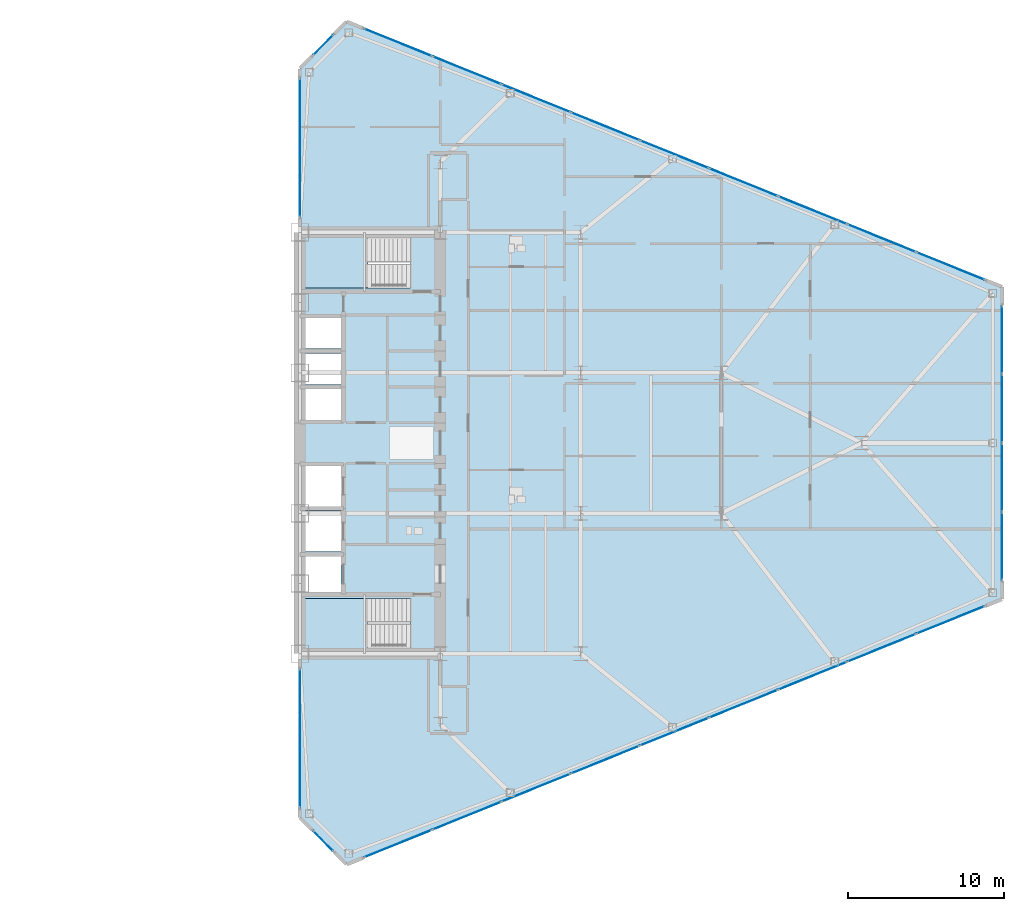
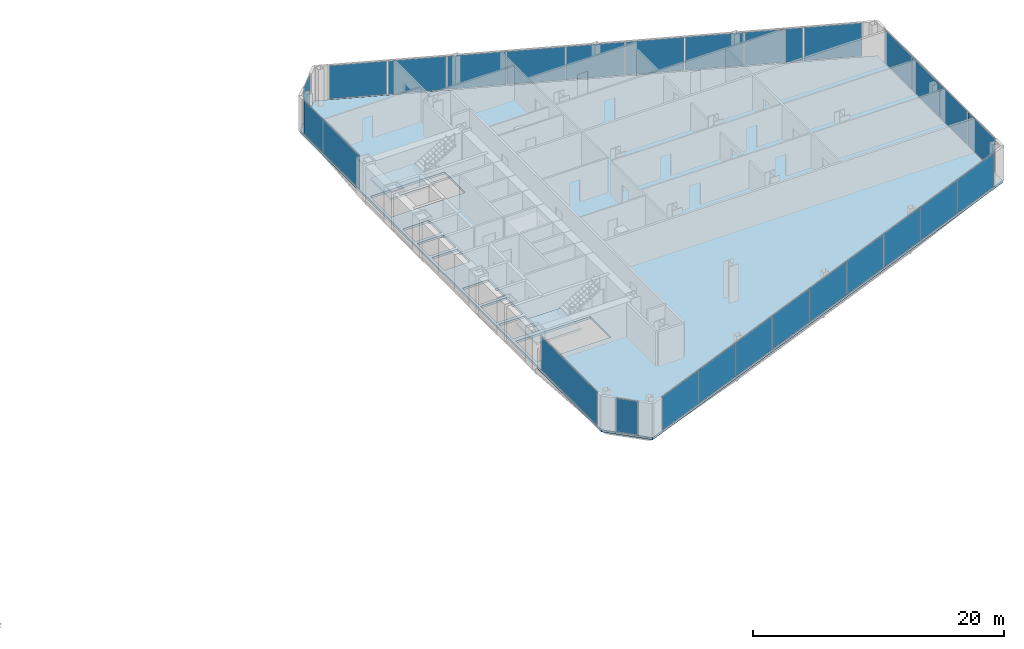
# One storey, part 16 of 25: 26 plates, 3 slabs, 9 elements without a shape of their own.
"""IFC4 building model written with IfcOpenShell, lengths in metres."""

import ifcopenshell
import ifcopenshell.guid

model = None  # the IFC model being written
_history = None  # IfcOwnerHistory: only IFC2X3 demands one
_inside = {}  # id of a spatial element -> (the spatial element, [elements in it])
_under = {}  # id of a project, library or spatial element -> (it, [spatial elements below it])
_declared = {}  # id of a project -> (the project, [libraries it declares])
_typed = {}  # id of a type object -> (the type object, [elements of that type])
_made_of = {}  # id of a material, layer set ... -> (it, [elements and type objects made of it])


def new_model(schema):
    """Start an empty IFC model of exactly this schema.

    Asked for "IFC4X3", IfcOpenShell would pick the latest addendum, in which some entities
    have other attributes; the version numbers below select the first issue.
    IFC2X3 requires an IfcOwnerHistory on every rooted entity: one is made here for all.
    """
    global model, _history
    if schema == "IFC4X3":
        model = ifcopenshell.file(schema_version=(4, 3, 0, 0))
    else:
        model = ifcopenshell.file(schema=schema)
    _inside.clear()
    _under.clear()
    _declared.clear()
    _typed.clear()
    _made_of.clear()
    _history = None
    if model.schema == "IFC2X3":
        org = make("IfcOrganization", Name="unknown")
        user = make(
            "IfcPersonAndOrganization",
            ThePerson=make("IfcPerson", FamilyName="unknown"),
            TheOrganization=org,
        )
        app = make(
            "IfcApplication",
            ApplicationDeveloper=org,
            Version="unknown",
            ApplicationFullName="unknown",
            ApplicationIdentifier="unknown",
        )
        _history = make(
            "IfcOwnerHistory",
            OwningUser=user,
            OwningApplication=app,
            ChangeAction="ADDED",
            CreationDate=0,
        )
    return model


def make(cls, **values):
    """One entity of the class cls with the attributes given. An attribute that is None is left unset."""
    return model.create_entity(
        cls, **{name: value for name, value in values.items() if value is not None}
    )


def rooted(cls, **values):
    """An entity with a GlobalId (a new one), such as an element, a storey or a relation."""
    return make(cls, GlobalId=ifcopenshell.guid.new(), OwnerHistory=_history, **values)


def si_unit(unit_type, name, prefix=None):
    """IfcSIUnit, for example si_unit("LENGTHUNIT", "METRE", prefix="MILLI")."""
    return make("IfcSIUnit", UnitType=unit_type, Prefix=prefix, Name=name)


def assignment(units):
    """IfcUnitAssignment: the units of a project."""
    return None if units is None else make("IfcUnitAssignment", Units=units)


def point(xyz):
    """IfcCartesianPoint."""
    return None if xyz is None else make("IfcCartesianPoint", Coordinates=xyz)


def direction(xyz):
    """IfcDirection."""
    return None if xyz is None else make("IfcDirection", DirectionRatios=xyz)


def frame(location, z_axis=None, x_axis=None):
    """IfcAxis2Placement3D, a coordinate frame: its origin and axes. An axis left out is left unset."""
    return make(
        "IfcAxis2Placement3D",
        Location=point(location),
        Axis=direction(z_axis),
        RefDirection=direction(x_axis),
    )


def frame_2d(location, x_axis=None):
    """IfcAxis2Placement2D, a coordinate frame in the plane: its origin and x axis."""
    return make(
        "IfcAxis2Placement2D", Location=point(location), RefDirection=direction(x_axis)
    )


def origin():
    """The frame at (0, 0, 0) with its axes left unset."""
    return frame((0.0, 0.0, 0.0))


def origin_2d():
    """The frame at (0, 0) in the plane with its x axis left unset."""
    return frame_2d((0.0, 0.0))


def place(relative_to, where):
    """IfcLocalPlacement: puts the frame where relative to a parent placement (None: the world)."""
    return make(
        "IfcLocalPlacement", PlacementRelTo=relative_to, RelativePlacement=where
    )


def context(
    kind, dimensions, precision=None, world=None, true_north=None, identifier=None
):
    """IfcGeometricRepresentationContext, for example the 3D "Model" context."""
    return make(
        "IfcGeometricRepresentationContext",
        ContextIdentifier=identifier,
        ContextType=kind,
        CoordinateSpaceDimension=dimensions,
        Precision=precision,
        WorldCoordinateSystem=world,
        TrueNorth=true_north,
    )


def subcontext(parent, identifier, kind, view, scale=None):
    """IfcGeometricRepresentationSubContext, for example "Body" below "Model"."""
    return make(
        "IfcGeometricRepresentationSubContext",
        ContextIdentifier=identifier,
        ContextType=kind,
        ParentContext=parent,
        TargetScale=scale,
        TargetView=view,
    )


def project(units=None, contexts=None):
    """IfcProject with its units and contexts."""
    return rooted(
        "IfcProject",
        Name="project",
        RepresentationContexts=contexts,
        UnitsInContext=assignment(units),
    )


def spatial(cls, under=None, at=None, **own):
    """A site, building, storey or space (cls), placed at a placement, below another one or the project."""
    s = rooted(cls, ObjectPlacement=at, **own)
    if under is not None:
        _under.setdefault(under.id(), (under, []))[1].append(s)
    return s


def polyline(points):
    """IfcPolyline through the points."""
    return make("IfcPolyline", Points=[point(p) for p in points])


def profile(cls, at=None, kind="AREA", **sizes):
    """A parametric profile (cls). Its sizes go by their IFC names, for example OverallWidth=200.0."""
    return make(cls, ProfileType=kind, Position=at, **sizes)


def rectangle(**sizes):
    """IfcRectangleProfileDef."""
    return profile("IfcRectangleProfileDef", **sizes)


def outline(outer, holes=None, kind="AREA"):
    """IfcArbitraryClosedProfileDef: a profile drawn as a closed curve; with holes, ...WithVoids."""
    if holes is None:
        return make("IfcArbitraryClosedProfileDef", ProfileType=kind, OuterCurve=outer)
    return make(
        "IfcArbitraryProfileDefWithVoids",
        ProfileType=kind,
        OuterCurve=outer,
        InnerCurves=holes,
    )


def extrude(swept, where, along, depth):
    """IfcExtrudedAreaSolid: the profile swept, set in the frame where, extruded along a direction by depth."""
    return make(
        "IfcExtrudedAreaSolid",
        SweptArea=swept,
        Position=where,
        ExtrudedDirection=direction(along),
        Depth=depth,
    )


def shape(context_of_items, identifier, shape_type, items):
    """IfcShapeRepresentation: the items that make up one representation, for example the "Body"."""
    return make(
        "IfcShapeRepresentation",
        ContextOfItems=context_of_items,
        RepresentationIdentifier=identifier,
        RepresentationType=shape_type,
        Items=items,
    )


def source(mapping_origin, context_of_items, identifier, shape_type, items):
    """IfcRepresentationMap: a shape defined once, which mapped items show again and again."""
    return make(
        "IfcRepresentationMap",
        MappingOrigin=mapping_origin,
        MappedRepresentation=shape(context_of_items, identifier, shape_type, items),
    )


def transform(
    local_origin,
    x_axis=None,
    y_axis=None,
    z_axis=None,
    scale=None,
    scale2=None,
    scale3=None,
    uniform=True,
):
    """IfcCartesianTransformationOperator3D, or its non-uniform kind. x_axis, y_axis, z_axis: its Axis1, 2, 3."""
    if uniform:
        return make(
            "IfcCartesianTransformationOperator3D",
            Axis1=direction(x_axis),
            Axis2=direction(y_axis),
            LocalOrigin=point(local_origin),
            Scale=scale,
            Axis3=direction(z_axis),
        )
    return make(
        "IfcCartesianTransformationOperator3DnonUniform",
        Axis1=direction(x_axis),
        Axis2=direction(y_axis),
        LocalOrigin=point(local_origin),
        Scale=scale,
        Axis3=direction(z_axis),
        Scale2=scale2,
        Scale3=scale3,
    )


def mapped(mapping_source, mapping_target):
    """IfcMappedItem: shows the shape of a source again, moved by a transform."""
    return make(
        "IfcMappedItem", MappingSource=mapping_source, MappingTarget=mapping_target
    )


def material(Name=None, Category=None):
    """IfcMaterial."""
    return make("IfcMaterial", Name=Name, Category=Category)


def layer(
    of_material, thickness, ventilated=None, Name=None, Category=None, Priority=None
):
    """IfcMaterialLayer: one layer of a wall or slab, of a material (None: an air gap)."""
    return make(
        "IfcMaterialLayer",
        Material=of_material,
        LayerThickness=thickness,
        IsVentilated=ventilated,
        Name=Name,
        Category=Category,
        Priority=Priority,
    )


def layer_set(layers, Name=None):
    """IfcMaterialLayerSet."""
    return make("IfcMaterialLayerSet", MaterialLayers=layers, LayerSetName=Name)


def made_of(thing, what):
    """Note that an element or type object is made of a material, layer set ...; save() writes the relation."""
    if what is not None:
        _made_of.setdefault(what.id(), (what, []))[1].append(thing)
    return thing


def type_object(cls, material=None, **own):
    """A type object (cls), such as IfcWallType, which elements share."""
    return made_of(rooted(cls, **own), material)


def type_shapes(of_type, sources):
    """Give a type object the sources (RepresentationMaps) that its elements show as mapped items."""
    of_type.RepresentationMaps = sources


def element(
    cls,
    number,
    at=None,
    inside=None,
    cuts=None,
    type_object=None,
    material=None,
    context=None,
    identifier="Body",
    shape_type=None,
    held_by="IfcProductDefinitionShape",
    body=None,
    shapes=None,
    **own,
):
    """One element of the class cls, such as IfcWall. Its Tag is "e" and its number.

    at: its placement. inside: the storey or other place that contains it. cuts: it is an
    opening in that element (IfcRelVoidsElement). A single representation is given by context,
    identifier, shape_type and body (its items); several are given by shapes. held_by: the class
    of the entity that holds the representations. save() writes the other relations.
    """
    e = rooted(cls, Tag="e%d" % number, ObjectPlacement=at, **own)
    if body is not None:
        shapes = [shape(context, identifier, shape_type, body)]
    if shapes is not None:
        e.Representation = make(held_by, Representations=shapes)
    if inside is not None:
        _inside.setdefault(inside.id(), (inside, []))[1].append(e)
    if cuts is not None:
        rooted(
            "IfcRelVoidsElement", RelatingBuildingElement=cuts, RelatedOpeningElement=e
        )
    if type_object is not None:
        _typed.setdefault(type_object.id(), (type_object, []))[1].append(e)
    return made_of(e, material)


def aggregate(whole, parts):
    """IfcRelAggregates: a whole, such as a stair, and the parts it consists of."""
    return rooted("IfcRelAggregates", RelatingObject=whole, RelatedObjects=parts)


def save(model, path):
    """Write the relations noted so far, then the file.

    IfcRelAggregates (storeys below a building ...), IfcRelContainedInSpatialStructure (elements
    in a storey), IfcRelDefinesByType, IfcRelAssociatesMaterial and IfcRelDeclares: one each for
    every whole, place, type object, material and project.
    """
    for whole, parts in _under.values():
        aggregate(whole, parts)
    for where, things in _inside.values():
        rooted(
            "IfcRelContainedInSpatialStructure",
            RelatedElements=things,
            RelatingStructure=where,
        )
    for kind, things in _typed.values():
        rooted("IfcRelDefinesByType", RelatedObjects=things, RelatingType=kind)
    for what, things in _made_of.values():
        rooted("IfcRelAssociatesMaterial", RelatedObjects=things, RelatingMaterial=what)
    for by, libraries in _declared.values():
        rooted("IfcRelDeclares", RelatingContext=by, RelatedDefinitions=libraries)
    model.write(path)


model = new_model("IFC4")

# Units and contexts
model_context = context("Model", 3, precision=1e-05, world=origin(), true_north=direction((0.0, 1.0)))
body_context = subcontext(model_context, "Body", "Model", "MODEL_VIEW")
ifc_project = project(units=[si_unit("LENGTHUNIT", "METRE"), si_unit("AREAUNIT", "SQUARE_METRE"), si_unit("VOLUMEUNIT", "CUBIC_METRE"), si_unit("PLANEANGLEUNIT", "RADIAN"), si_unit("MASSUNIT", "GRAM", prefix="KILO")], contexts=[model_context])

# Site, building, storey
site_placement = place(None, origin())
site = spatial("IfcSite", under=ifc_project, at=site_placement, CompositionType="ELEMENT")
building_placement = place(site_placement, origin())
building = spatial("IfcBuilding", under=site, at=building_placement, Name="Seokmaru Belvedere", CompositionType="ELEMENT")
storey_placement = place(building_placement, frame((0.0, 0.0, 58.5)))
storey = spatial("IfcBuildingStorey", under=building, at=storey_placement, Name="L15", CompositionType="ELEMENT", Elevation=58.5)

# Stair, slab
ifc_material_1 = material(Name="Concrete C40 (40 MPa)", Category="concrete")
stair_type = type_object("IfcStairType", Name="Typical Tower Core Dog-Leg Stair 3600", PredefinedType="TWO_STRAIGHT_RUN_STAIR", material=ifc_material_1)
stair_1_placement = place(storey_placement, origin())
stair_1 = element("IfcStair", 1, at=stair_1_placement, inside=storey, type_object=stair_type, Name="L15 Special Escape Stair ST-E1", PredefinedType="TWO_STRAIGHT_RUN_STAIR")
ifc_layer_1 = layer(ifc_material_1, 0.199951171875)
ifc_layer_set_1 = layer_set([ifc_layer_1], Name="Concrete C40 (40 MPa)")
slab_type_1 = type_object("IfcSlabType", Name="Reinforced Concrete Stair Landing Slab 200", PredefinedType="LANDING", material=ifc_layer_set_1)
slab_1_placement = place(storey_placement, frame((0.0, 0.0, 1.60009765625)))
slab_1 = element("IfcSlab", 2, at=slab_1_placement, type_object=slab_type_1, Name="ST-E1 landing 1", PredefinedType="LANDING", context=body_context, shape_type="SweptSolid", body=[
    extrude(outline(polyline([(27.760009765625, -13.239990234375), (31.8798828125, -13.239990234375), (31.8798828125, -9.949951171875), (27.760009765625, -9.949951171875), (27.760009765625, -13.239990234375)])), origin(), (0.0, 0.0, 1.0), 0.199951171875),
])
aggregate(stair_1, [slab_1])

stair_2_placement = place(storey_placement, origin())
stair_2 = element("IfcStair", 3, at=stair_2_placement, inside=storey, type_object=stair_type, Name="L15 Special Escape Stair ST-E2", PredefinedType="TWO_STRAIGHT_RUN_STAIR")
slab_2_placement = place(storey_placement, frame((0.0, 0.0, 1.60009765625)))
slab_2 = element("IfcSlab", 4, at=slab_2_placement, type_object=slab_type_1, Name="ST-E2 landing 1", PredefinedType="LANDING", context=body_context, shape_type="SweptSolid", body=[
    extrude(outline(polyline([(27.760009765625, 9.949951171875), (31.8798828125, 9.949951171875), (31.8798828125, 13.239990234375), (27.760009765625, 13.239990234375), (27.760009765625, 9.949951171875)])), origin(), (0.0, 0.0, 1.0), 0.199951171875),
])
aggregate(stair_2, [slab_2])

# Slab
ifc_layer_2 = layer(ifc_material_1, 0.219970703125)
ifc_layer_set_2 = layer_set([ifc_layer_2], Name="Concrete C40 (40 MPa)")
slab_type_2 = type_object("IfcSlabType", Name="Typical Tower Composite Floor Slab 220", PredefinedType="FLOOR", material=ifc_layer_set_2)
slab_3_placement = place(storey_placement, frame((0.0, 0.0, -0.219970703125)))
element("IfcSlab", 5, at=slab_3_placement, inside=storey, type_object=slab_type_2, Name="L15 East Leg Floor Slab", PredefinedType="FLOOR", context=body_context, shape_type="SweptSolid", body=[
    extrude(outline(polyline([(30.5, -27.0), (72.5, -10.0), (72.5, 10.0), (30.5, 27.0), (27.5, 24.0), (27.5, -24.0), (30.5, -27.0)]), holes=[polyline([(27.75, -13.25), (34.60009765625, -13.25), (34.60009765625, -9.949951171875), (27.75, -9.949951171875), (27.75, -13.25)]), polyline([(27.75, 9.949951171875), (34.60009765625, 9.949951171875), (34.60009765625, 13.25), (27.75, 13.25), (27.75, 9.949951171875)]), polyline([(27.75, -9.550048828125), (30.14990234375, -9.550048828125), (30.14990234375, -7.25), (27.75, -7.25), (27.75, -9.550048828125)]), polyline([(27.75, -6.949951171875), (30.14990234375, -6.949951171875), (30.14990234375, -4.35009765625), (27.75, -4.35009765625), (27.75, -6.949951171875)]), polyline([(27.75, -4.050048828125), (30.14990234375, -4.050048828125), (30.14990234375, -1.449951171875), (27.75, -1.449951171875), (27.75, -4.050048828125)]), polyline([(27.75, 1.449951171875), (30.14990234375, 1.449951171875), (30.14990234375, 3.449951171875), (27.75, 3.449951171875), (27.75, 1.449951171875)]), polyline([(27.75, 3.75), (30.14990234375, 3.75), (30.14990234375, 5.75), (27.75, 5.75), (27.75, 3.75)]), polyline([(27.75, 6.050048828125), (30.14990234375, 6.050048828125), (30.14990234375, 8.050048828125), (27.75, 8.050048828125), (27.75, 6.050048828125)])]), origin(), (0.0, 0.0, 1.0), 0.219970703125),
])

# Curtain wall, plate
ifc_material_2 = material(Name="Bronze Triple Insulating Glass", Category="glass")
ifc_layer_3 = layer(ifc_material_2, 0.2099609375)
ifc_layer_set_3 = layer_set([ifc_layer_3], Name="Bronze Triple Insulating Glass")
curtain_wall_type = type_object("IfcCurtainWallType", Name="Low-Rise Faceted Crystal Curtain Wall System CW-2", PredefinedType="NOTDEFINED", material=ifc_layer_set_3)
curtain_wall_1_placement = place(storey_placement, origin())
curtain_wall_1 = element("IfcCurtainWall", 6, at=curtain_wall_1_placement, inside=storey, type_object=curtain_wall_type, Name="L15 Curtain Wall ESP_1", PredefinedType="NOTDEFINED")
ifc_layer_4 = layer(ifc_material_2, 0.035888671875)
ifc_layer_set_4 = layer_set([ifc_layer_4], Name="Bronze Triple Insulating Glass")
plate_type = type_object("IfcPlateType", Name="Bronze Triple Vision Glazing Panel 36", PredefinedType="CURTAIN_PANEL", material=ifc_layer_set_4)
shared_shape_1 = source(origin(), body_context, "Body", "SweptSolid", [
    extrude(rectangle(XDim=8.85009765625, YDim=0.035888671875, at=origin_2d()), origin(), (0.0, 0.0, 1.0), 3.239990234375),
])
plate_1_placement = place(storey_placement, frame((27.5, -18.929931640625, 0.06982421875), z_axis=(0.0, 0.0, 1.0), x_axis=(0.0, -1.0, 0.0)))
plate_1 = element("IfcPlate", 7, at=plate_1_placement, type_object=plate_type, Name="CW:L15:ESP_1 Glazing Panel 1-1", PredefinedType="CURTAIN_PANEL", context=body_context, shape_type="MappedRepresentation", body=[
    mapped(shared_shape_1, transform((0.0, 0.0, 0.0), scale=1.0)),
])
aggregate(curtain_wall_1, [plate_1])

curtain_wall_2_placement = place(storey_placement, origin())
curtain_wall_2 = element("IfcCurtainWall", 8, at=curtain_wall_2_placement, inside=storey, type_object=curtain_wall_type, Name="L15 Curtain Wall ESP_2", PredefinedType="NOTDEFINED")
plate_2_placement = place(storey_placement, frame((27.5, 18.929931640625, 0.06982421875), z_axis=(0.0, 0.0, 1.0), x_axis=(0.0, -1.0, 0.0)))
plate_2 = element("IfcPlate", 9, at=plate_2_placement, type_object=plate_type, Name="CW:L15:ESP_2 Glazing Panel 1-1", PredefinedType="CURTAIN_PANEL", context=body_context, shape_type="MappedRepresentation", body=[
    mapped(shared_shape_1, transform((0.0, 0.0, 0.0), scale=1.0)),
])
aggregate(curtain_wall_2, [plate_2])

curtain_wall_3_placement = place(storey_placement, origin())
curtain_wall_3 = element("IfcCurtainWall", 10, at=curtain_wall_3_placement, inside=storey, type_object=curtain_wall_type, Name="L15 Curtain Wall EF4", PredefinedType="NOTDEFINED")
shared_shape_2 = source(origin(), body_context, "Body", "SweptSolid", [
    extrude(rectangle(XDim=1.79248046875, YDim=0.035888671875, at=origin_2d()), origin(), (0.0, 0.0, 1.0), 3.239990234375),
])
plate_3_placement = place(storey_placement, frame((29.0, 25.5, 0.06982421875), z_axis=(0.0, 0.0, 1.0), x_axis=(-0.707106781187, -0.707106781187, 0.0)))
plate_3 = element("IfcPlate", 11, at=plate_3_placement, type_object=plate_type, Name="CW:L15:EF4 Glazing Panel 1-1", PredefinedType="CURTAIN_PANEL", context=body_context, shape_type="MappedRepresentation", body=[
    mapped(shared_shape_2, transform((0.0, 0.0, 0.0), scale=1.0)),
])
aggregate(curtain_wall_3, [plate_3])

curtain_wall_4_placement = place(storey_placement, origin())
curtain_wall_4 = element("IfcCurtainWall", 12, at=curtain_wall_4_placement, inside=storey, type_object=curtain_wall_type, Name="L15 Curtain Wall EF6", PredefinedType="NOTDEFINED")
plate_4_placement = place(storey_placement, frame((29.0, -25.5, 0.06982421875), z_axis=(0.0, 0.0, 1.0), x_axis=(0.707106781187, -0.707106781187, 0.0)))
plate_4 = element("IfcPlate", 13, at=plate_4_placement, type_object=plate_type, Name="CW:L15:EF6 Glazing Panel 1-1", PredefinedType="CURTAIN_PANEL", context=body_context, shape_type="MappedRepresentation", body=[
    mapped(shared_shape_2, transform((0.0, 0.0, 0.0), scale=1.0)),
])
aggregate(curtain_wall_4, [plate_4])

# Curtain wall, plates
curtain_wall_5_placement = place(storey_placement, origin())
curtain_wall_5 = element("IfcCurtainWall", 14, at=curtain_wall_5_placement, inside=storey, type_object=curtain_wall_type, Name="L15 Curtain Wall EF1", PredefinedType="NOTDEFINED")
shared_shape_3 = source(origin(), body_context, "Body", "SweptSolid", [
    extrude(rectangle(XDim=4.66650390625, YDim=0.035888671875, at=origin_2d()), origin(), (0.0, 0.0, 1.0), 3.239990234375),
])
plate_5_placement = place(storey_placement, frame((33.79833984375, -25.6650390625, 0.06982421875), z_axis=(0.0, 0.0, 1.0), x_axis=(0.926946989637, 0.375192321888, 0.0)))
plate_5 = element("IfcPlate", 15, at=plate_5_placement, type_object=plate_type, Name="CW:L15:EF1 Glazing Panel 1-1", PredefinedType="CURTAIN_PANEL", context=body_context, shape_type="MappedRepresentation", body=[
    mapped(shared_shape_3, transform((0.0, 0.0, 0.0), scale=1.0)),
])
plate_6_placement = place(storey_placement, frame((69.20166015625, -11.3349609375, 0.06982421875), z_axis=(0.0, 0.0, 1.0), x_axis=(0.926946989637, 0.375192321888, 0.0)))
plate_6 = element("IfcPlate", 16, at=plate_6_placement, type_object=plate_type, Name="CW:L15:EF1 Glazing Panel 9-1", PredefinedType="CURTAIN_PANEL", context=body_context, shape_type="MappedRepresentation", body=[
    mapped(shared_shape_3, transform((0.0, 0.0, 0.0), scale=1.0)),
])

curtain_wall_6_placement = place(storey_placement, origin())
curtain_wall_6 = element("IfcCurtainWall", 17, at=curtain_wall_6_placement, inside=storey, type_object=curtain_wall_type, Name="L15 Curtain Wall EF3", PredefinedType="NOTDEFINED")
plate_7_placement = place(storey_placement, frame((69.20166015625, 11.3349609375, 0.06982421875), z_axis=(0.0, 0.0, 1.0), x_axis=(-0.926946989637, 0.375192321888, 0.0)))
plate_7 = element("IfcPlate", 18, at=plate_7_placement, type_object=plate_type, Name="CW:L15:EF3 Glazing Panel 1-1", PredefinedType="CURTAIN_PANEL", context=body_context, shape_type="MappedRepresentation", body=[
    mapped(shared_shape_3, transform((0.0, 0.0, 0.0), scale=1.0)),
])
plate_8_placement = place(storey_placement, frame((33.79833984375, 25.6650390625, 0.06982421875), z_axis=(0.0, 0.0, 1.0), x_axis=(-0.926946989637, 0.375192321888, 0.0)))
plate_8 = element("IfcPlate", 19, at=plate_8_placement, type_object=plate_type, Name="CW:L15:EF3 Glazing Panel 9-1", PredefinedType="CURTAIN_PANEL", context=body_context, shape_type="MappedRepresentation", body=[
    mapped(shared_shape_3, transform((0.0, 0.0, 0.0), scale=1.0)),
])

# Plate
shared_shape_4 = source(origin(), body_context, "Body", "SweptSolid", [
    extrude(rectangle(XDim=4.703857421875, YDim=0.035888671875, at=origin_2d()), origin(), (0.0, 0.0, 1.0), 3.239990234375),
])
plate_9_placement = place(storey_placement, frame((38.210693359375, -23.87890625, 0.06982421875), z_axis=(0.0, 0.0, 1.0), x_axis=(0.926946989637, 0.375192321888, 0.0)))
plate_9 = element("IfcPlate", 20, at=plate_9_placement, type_object=plate_type, Name="CW:L15:EF1 Glazing Panel 2-1", PredefinedType="CURTAIN_PANEL", context=body_context, shape_type="MappedRepresentation", body=[
    mapped(shared_shape_4, transform((0.0, 0.0, 0.0), scale=1.0)),
])

plate_10_placement = place(storey_placement, frame((42.640380859375, -22.0859375, 0.06982421875), z_axis=(0.0, 0.0, 1.0), x_axis=(0.926946989637, 0.375192321888, 0.0)))
plate_10 = element("IfcPlate", 21, at=plate_10_placement, type_object=plate_type, Name="CW:L15:EF1 Glazing Panel 3-1", PredefinedType="CURTAIN_PANEL", context=body_context, shape_type="MappedRepresentation", body=[
    mapped(shared_shape_4, transform((0.0, 0.0, 0.0), scale=1.0)),
])

plate_11_placement = place(storey_placement, frame((47.0703125, -20.29296875, 0.06982421875), z_axis=(0.0, 0.0, 1.0), x_axis=(0.926946989637, 0.375192321888, 0.0)))
plate_11 = element("IfcPlate", 22, at=plate_11_placement, type_object=plate_type, Name="CW:L15:EF1 Glazing Panel 4-1", PredefinedType="CURTAIN_PANEL", context=body_context, shape_type="MappedRepresentation", body=[
    mapped(shared_shape_4, transform((0.0, 0.0, 0.0), scale=1.0)),
])

plate_12_placement = place(storey_placement, frame((51.5, -18.5, 0.06982421875), z_axis=(0.0, 0.0, 1.0), x_axis=(0.926946989637, 0.375192321888, 0.0)))
plate_12 = element("IfcPlate", 23, at=plate_12_placement, type_object=plate_type, Name="CW:L15:EF1 Glazing Panel 5-1", PredefinedType="CURTAIN_PANEL", context=body_context, shape_type="MappedRepresentation", body=[
    mapped(shared_shape_4, transform((0.0, 0.0, 0.0), scale=1.0)),
])

plate_13_placement = place(storey_placement, frame((55.9296875, -16.70703125, 0.06982421875), z_axis=(0.0, 0.0, 1.0), x_axis=(0.926946989637, 0.375192321888, 0.0)))
plate_13 = element("IfcPlate", 24, at=plate_13_placement, type_object=plate_type, Name="CW:L15:EF1 Glazing Panel 6-1", PredefinedType="CURTAIN_PANEL", context=body_context, shape_type="MappedRepresentation", body=[
    mapped(shared_shape_4, transform((0.0, 0.0, 0.0), scale=1.0)),
])

plate_14_placement = place(storey_placement, frame((60.359619140625, -14.9140625, 0.06982421875), z_axis=(0.0, 0.0, 1.0), x_axis=(0.926946989637, 0.375192321888, 0.0)))
plate_14 = element("IfcPlate", 25, at=plate_14_placement, type_object=plate_type, Name="CW:L15:EF1 Glazing Panel 7-1", PredefinedType="CURTAIN_PANEL", context=body_context, shape_type="MappedRepresentation", body=[
    mapped(shared_shape_4, transform((0.0, 0.0, 0.0), scale=1.0)),
])

plate_15_placement = place(storey_placement, frame((64.789306640625, -13.12109375, 0.06982421875), z_axis=(0.0, 0.0, 1.0), x_axis=(0.926946989637, 0.375192321888, 0.0)))
plate_15 = element("IfcPlate", 26, at=plate_15_placement, type_object=plate_type, Name="CW:L15:EF1 Glazing Panel 8-1", PredefinedType="CURTAIN_PANEL", context=body_context, shape_type="MappedRepresentation", body=[
    mapped(shared_shape_4, transform((0.0, 0.0, 0.0), scale=1.0)),
])

aggregate(curtain_wall_5, [plate_5, plate_9, plate_10, plate_11, plate_12, plate_13, plate_14, plate_15, plate_6])

plate_16_placement = place(storey_placement, frame((64.789306640625, 13.12109375, 0.06982421875), z_axis=(0.0, 0.0, 1.0), x_axis=(-0.926946989637, 0.375192321888, 0.0)))
plate_16 = element("IfcPlate", 27, at=plate_16_placement, type_object=plate_type, Name="CW:L15:EF3 Glazing Panel 2-1", PredefinedType="CURTAIN_PANEL", context=body_context, shape_type="MappedRepresentation", body=[
    mapped(shared_shape_4, transform((0.0, 0.0, 0.0), scale=1.0)),
])

plate_17_placement = place(storey_placement, frame((60.359619140625, 14.9140625, 0.06982421875), z_axis=(0.0, 0.0, 1.0), x_axis=(-0.926946989637, 0.375192321888, 0.0)))
plate_17 = element("IfcPlate", 28, at=plate_17_placement, type_object=plate_type, Name="CW:L15:EF3 Glazing Panel 3-1", PredefinedType="CURTAIN_PANEL", context=body_context, shape_type="MappedRepresentation", body=[
    mapped(shared_shape_4, transform((0.0, 0.0, 0.0), scale=1.0)),
])

plate_18_placement = place(storey_placement, frame((55.9296875, 16.70703125, 0.06982421875), z_axis=(0.0, 0.0, 1.0), x_axis=(-0.926946989637, 0.375192321888, 0.0)))
plate_18 = element("IfcPlate", 29, at=plate_18_placement, type_object=plate_type, Name="CW:L15:EF3 Glazing Panel 4-1", PredefinedType="CURTAIN_PANEL", context=body_context, shape_type="MappedRepresentation", body=[
    mapped(shared_shape_4, transform((0.0, 0.0, 0.0), scale=1.0)),
])

plate_19_placement = place(storey_placement, frame((51.5, 18.5, 0.06982421875), z_axis=(0.0, 0.0, 1.0), x_axis=(-0.926946989637, 0.375192321888, 0.0)))
plate_19 = element("IfcPlate", 30, at=plate_19_placement, type_object=plate_type, Name="CW:L15:EF3 Glazing Panel 5-1", PredefinedType="CURTAIN_PANEL", context=body_context, shape_type="MappedRepresentation", body=[
    mapped(shared_shape_4, transform((0.0, 0.0, 0.0), scale=1.0)),
])

plate_20_placement = place(storey_placement, frame((47.0703125, 20.29296875, 0.06982421875), z_axis=(0.0, 0.0, 1.0), x_axis=(-0.926946989637, 0.375192321888, 0.0)))
plate_20 = element("IfcPlate", 31, at=plate_20_placement, type_object=plate_type, Name="CW:L15:EF3 Glazing Panel 6-1", PredefinedType="CURTAIN_PANEL", context=body_context, shape_type="MappedRepresentation", body=[
    mapped(shared_shape_4, transform((0.0, 0.0, 0.0), scale=1.0)),
])

plate_21_placement = place(storey_placement, frame((42.640380859375, 22.0859375, 0.06982421875), z_axis=(0.0, 0.0, 1.0), x_axis=(-0.926946989637, 0.375192321888, 0.0)))
plate_21 = element("IfcPlate", 32, at=plate_21_placement, type_object=plate_type, Name="CW:L15:EF3 Glazing Panel 7-1", PredefinedType="CURTAIN_PANEL", context=body_context, shape_type="MappedRepresentation", body=[
    mapped(shared_shape_4, transform((0.0, 0.0, 0.0), scale=1.0)),
])

plate_22_placement = place(storey_placement, frame((38.210693359375, 23.87890625, 0.06982421875), z_axis=(0.0, 0.0, 1.0), x_axis=(-0.926946989637, 0.375192321888, 0.0)))
plate_22 = element("IfcPlate", 33, at=plate_22_placement, type_object=plate_type, Name="CW:L15:EF3 Glazing Panel 8-1", PredefinedType="CURTAIN_PANEL", context=body_context, shape_type="MappedRepresentation", body=[
    mapped(shared_shape_4, transform((0.0, 0.0, 0.0), scale=1.0)),
])

aggregate(curtain_wall_6, [plate_7, plate_16, plate_17, plate_18, plate_19, plate_20, plate_21, plate_22, plate_8])

# Curtain wall, plates
curtain_wall_7_placement = place(storey_placement, origin())
curtain_wall_7 = element("IfcCurtainWall", 34, at=curtain_wall_7_placement, inside=storey, type_object=curtain_wall_type, Name="L15 Curtain Wall EF2", PredefinedType="NOTDEFINED")
shared_shape_5 = source(origin(), body_context, "Body", "SweptSolid", [
    extrude(rectangle(XDim=4.3125, YDim=0.035888671875, at=origin_2d()), origin(), (0.0, 0.0, 1.0), 3.239990234375),
])
plate_23_placement = place(storey_placement, frame((72.5, -6.61865234375, 0.06982421875), z_axis=(0.0, 0.0, 1.0), x_axis=(0.0, 1.0, 0.0)))
plate_23 = element("IfcPlate", 35, at=plate_23_placement, type_object=plate_type, Name="CW:L15:EF2 Glazing Panel 1-1", PredefinedType="CURTAIN_PANEL", context=body_context, shape_type="MappedRepresentation", body=[
    mapped(shared_shape_5, transform((0.0, 0.0, 0.0), scale=1.0)),
])
plate_24_placement = place(storey_placement, frame((72.5, 6.61865234375, 0.06982421875), z_axis=(0.0, 0.0, 1.0), x_axis=(0.0, 1.0, 0.0)))
plate_24 = element("IfcPlate", 36, at=plate_24_placement, type_object=plate_type, Name="CW:L15:EF2 Glazing Panel 4-1", PredefinedType="CURTAIN_PANEL", context=body_context, shape_type="MappedRepresentation", body=[
    mapped(shared_shape_5, transform((0.0, 0.0, 0.0), scale=1.0)),
])
shared_shape_6 = source(origin(), body_context, "Body", "SweptSolid", [
    extrude(rectangle(XDim=4.35009765625, YDim=0.035888671875, at=origin_2d()), origin(), (0.0, 0.0, 1.0), 3.239990234375),
])
type_shapes(plate_type, [shared_shape_1, shared_shape_2, shared_shape_3, shared_shape_4, shared_shape_5, shared_shape_6])
plate_25_placement = place(storey_placement, frame((72.5, -2.21240234375, 0.06982421875), z_axis=(0.0, 0.0, 1.0), x_axis=(0.0, 1.0, 0.0)))
plate_25 = element("IfcPlate", 37, at=plate_25_placement, type_object=plate_type, Name="CW:L15:EF2 Glazing Panel 2-1", PredefinedType="CURTAIN_PANEL", context=body_context, shape_type="MappedRepresentation", body=[
    mapped(shared_shape_6, transform((0.0, 0.0, 0.0), scale=1.0)),
])
plate_26_placement = place(storey_placement, frame((72.5, 2.21240234375, 0.06982421875), z_axis=(0.0, 0.0, 1.0), x_axis=(0.0, 1.0, 0.0)))
plate_26 = element("IfcPlate", 38, at=plate_26_placement, type_object=plate_type, Name="CW:L15:EF2 Glazing Panel 3-1", PredefinedType="CURTAIN_PANEL", context=body_context, shape_type="MappedRepresentation", body=[
    mapped(shared_shape_6, transform((0.0, 0.0, 0.0), scale=1.0)),
])
aggregate(curtain_wall_7, [plate_23, plate_25, plate_26, plate_24])

save(model, "model.ifc")
